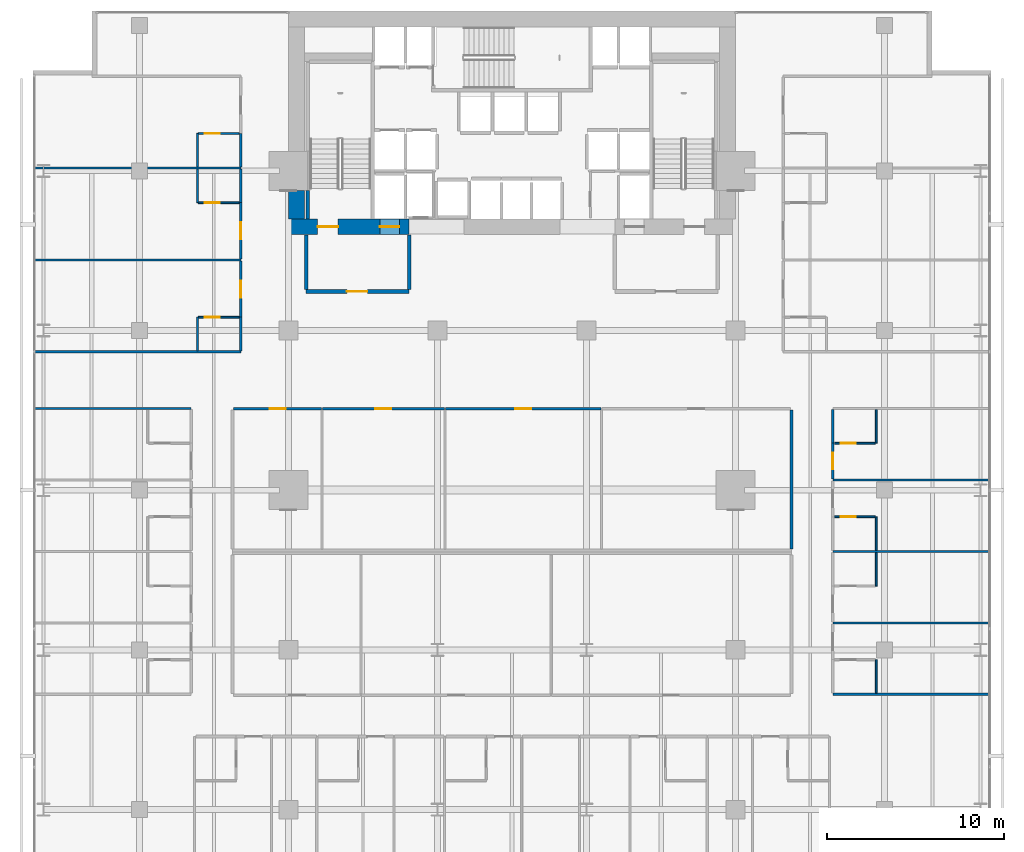
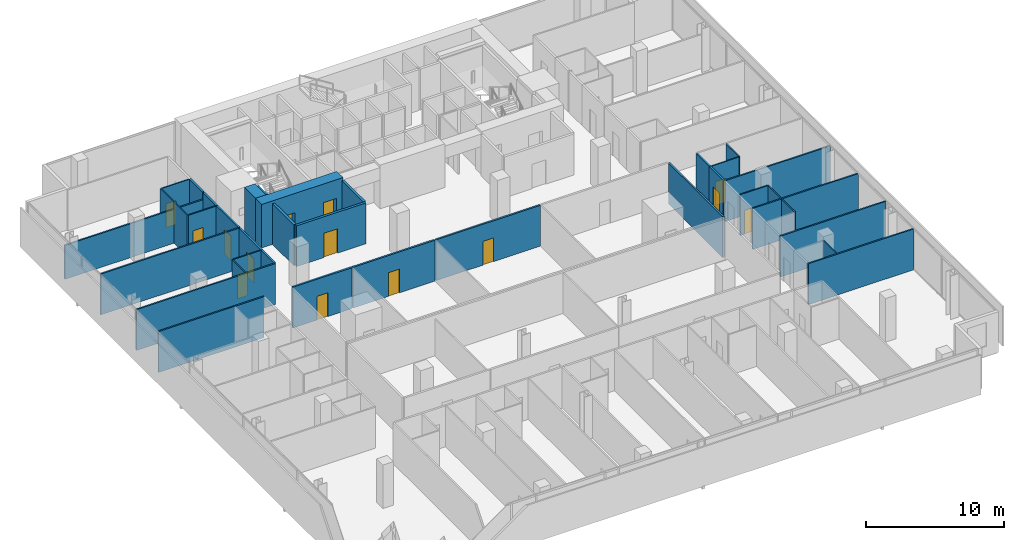
# One storey, part 35 of 40: 37 walls, 14 doors, 14 openings.
"""IFC4 building model written with IfcOpenShell, lengths in metres."""

from ifc_helpers import new_model, si_unit, direction, frame, frame_2d, origin, place, context, subcontext, project, spatial, rectangle, extrude, material, layer, layer_set, type_object, element, fill, save


model = new_model("IFC4")

# Units and contexts
model_context = context("Model", 3, precision=1e-05, world=origin(), true_north=direction((0.0, 1.0)))
body_context = subcontext(model_context, "Body", "Model", "MODEL_VIEW")
ifc_project = project(units=[si_unit("LENGTHUNIT", "METRE"), si_unit("AREAUNIT", "SQUARE_METRE"), si_unit("VOLUMEUNIT", "CUBIC_METRE"), si_unit("PLANEANGLEUNIT", "RADIAN"), si_unit("MASSUNIT", "GRAM", prefix="KILO")], contexts=[model_context])

# Site, building, storey
site_placement = place(None, origin())
site = spatial("IfcSite", under=ifc_project, at=site_placement, CompositionType="ELEMENT")
building_placement = place(site_placement, origin())
building = spatial("IfcBuilding", under=site, at=building_placement, Name="Maruvema Waterfront Hotel and Observation Tower", CompositionType="ELEMENT")
storey_placement = place(building_placement, frame((0.0, 0.0, 80.85009765625)))
storey = spatial("IfcBuildingStorey", under=building, at=storey_placement, Name="L19", CompositionType="ELEMENT", Elevation=80.85009765625)

# Wall
ifc_material_1 = material(Name="Twin-stud acoustic gypsum drywall", Category="gypsum")
ifc_layer_1 = layer(ifc_material_1, 0.14990234375, Name="Acoustic Corridor and Suite Demising Wall 150 mm")
ifc_layer_set_1 = layer_set([ifc_layer_1], Name="Twin-stud acoustic gypsum drywall")
wall_type_1 = type_object("IfcWallType", Name="Acoustic Corridor and Suite Demising Wall 150 mm", PredefinedType="PARTITIONING", material=ifc_layer_set_1)
wall_1_placement = place(storey_placement, frame((53.550048828125, 23.679931640625, 0.0), z_axis=(0.0, 0.0, 1.0), x_axis=(0.0, 1.0, 0.0)))
element("IfcWall", 1, at=wall_1_placement, inside=storey, type_object=wall_type_1, Name="L19 L19-INTN East Wall 014", PredefinedType="PARTITIONING", context=body_context, shape_type="SweptSolid", body=[
    extrude(rectangle(XDim=7.840087890625, YDim=0.14990234375, at=frame_2d((3.919921875, 0.0))), origin(), (0.0, 0.0, 1.0), 3.60986328125),
])

# Wall, opening, door
wall_2_placement = place(storey_placement, frame((22.110107421875, 31.60009765625, 0.0), z_axis=(0.0, 0.0, 1.0), x_axis=(1.0, 0.0, 0.0)))
wall_2 = element("IfcWall", 2, at=wall_2_placement, inside=storey, type_object=wall_type_1, Name="L19 L19-INTN Front 1 015", PredefinedType="PARTITIONING", context=body_context, shape_type="SweptSolid", body=[
    extrude(rectangle(XDim=4.949951171875, YDim=0.14990234375, at=frame_2d((2.47509765625, 0.0))), origin(), (0.0, 0.0, 1.0), 3.60986328125),
])
opening_1_placement = place(wall_2_placement, frame((2.02490234375, 0.0, 0.0)))
opening_1 = element("IfcOpeningElement", 3, at=opening_1_placement, cuts=wall_2, Name="Opening DR-090", PredefinedType="OPENING", context=body_context, shape_type="SweptSolid", body=[
    extrude(rectangle(XDim=0.89990234375, YDim=2.10009765625, at=frame_2d((0.449951171875, 1.050048828125))), frame((0.0, 0.0849609375, 0.0), z_axis=(0.0, -1.0, 0.0), x_axis=(1.0, 0.0, 0.0)), (0.0, 0.0, 1.0), 0.169921875),
])
ifc_material_2 = material(Name="Solid-core lacquered timber leaf", Category="wood")
door_type_1 = type_object("IfcDoorType", Name="Accessible Toilet and Room Door 900x2100 mm", OperationType="NOTDEFINED", PredefinedType="DOOR", material=ifc_material_2)
door_1_placement = place(opening_1_placement, origin())
door_1 = element("IfcDoor", 4, at=door_1_placement, inside=storey, type_object=door_type_1, Name="L19 Coworking Office Door", OperationType="SINGLE_SWING_RIGHT", OverallHeight=2.10009765625, OverallWidth=0.89990234375, PredefinedType="DOOR", context=body_context, shape_type="SweptSolid", body=[
    extrude(rectangle(XDim=0.89990234375, YDim=2.10009765625, at=frame_2d((0.449951171875, 1.050048828125))), frame((0.0, 0.02490234375, 0.0), z_axis=(0.0, -1.0, 0.0), x_axis=(1.0, 0.0, 0.0)), (0.0, 0.0, 1.0), 0.050048828125),
])
fill(opening_1, door_1)

wall_3_placement = place(storey_placement, frame((27.1201171875, 31.60009765625, 0.0), z_axis=(0.0, 0.0, 1.0), x_axis=(1.0, 0.0, 0.0)))
wall_3 = element("IfcWall", 5, at=wall_3_placement, inside=storey, type_object=wall_type_1, Name="L19 L19-INTN Front 2 017", PredefinedType="PARTITIONING", context=body_context, shape_type="SweptSolid", body=[
    extrude(rectangle(XDim=6.869873046875, YDim=0.14990234375, at=frame_2d((3.43505859375, 0.0))), origin(), (0.0, 0.0, 1.0), 3.60986328125),
])
opening_2_placement = place(wall_3_placement, frame((2.985107421875, 0.0, 0.0)))
opening_2 = element("IfcOpeningElement", 6, at=opening_2_placement, cuts=wall_3, Name="Opening DR-090", PredefinedType="OPENING", context=body_context, shape_type="SweptSolid", body=[
    extrude(rectangle(XDim=0.89990234375, YDim=2.10009765625, at=frame_2d((0.449951171875, 1.050048828125))), frame((0.0, 0.0849609375, 0.0), z_axis=(0.0, -1.0, 0.0), x_axis=(1.0, 0.0, 0.0)), (0.0, 0.0, 1.0), 0.169921875),
])
door_2_placement = place(opening_2_placement, origin())
door_2 = element("IfcDoor", 7, at=door_2_placement, inside=storey, type_object=door_type_1, Name="L19 Meeting Room 1 Door", OperationType="SINGLE_SWING_LEFT", OverallHeight=2.10009765625, OverallWidth=0.89990234375, PredefinedType="DOOR", context=body_context, shape_type="SweptSolid", body=[
    extrude(rectangle(XDim=0.89990234375, YDim=2.10009765625, at=frame_2d((0.449951171875, 1.050048828125))), frame((0.0, 0.02490234375, 0.0), z_axis=(0.0, -1.0, 0.0), x_axis=(1.0, 0.0, 0.0)), (0.0, 0.0, 1.0), 0.050048828125),
])
fill(opening_2, door_2)

wall_4_placement = place(storey_placement, frame((34.050048828125, 31.60009765625, 0.0), z_axis=(0.0, 0.0, 1.0), x_axis=(1.0, 0.0, 0.0)))
wall_4 = element("IfcWall", 8, at=wall_4_placement, inside=storey, type_object=wall_type_1, Name="L19 L19-INTN Front 3 019", PredefinedType="PARTITIONING", context=body_context, shape_type="SweptSolid", body=[
    extrude(rectangle(XDim=8.760009765625, YDim=0.14990234375, at=frame_2d((4.3798828125, 0.0))), origin(), (0.0, 0.0, 1.0), 3.60986328125),
])
opening_3_placement = place(wall_4_placement, frame((3.929931640625, 0.0, 0.0)))
opening_3 = element("IfcOpeningElement", 9, at=opening_3_placement, cuts=wall_4, Name="Opening DR-090", PredefinedType="OPENING", context=body_context, shape_type="SweptSolid", body=[
    extrude(rectangle(XDim=0.89990234375, YDim=2.10009765625, at=frame_2d((0.449951171875, 1.050048828125))), frame((0.0, 0.0849609375, 0.0), z_axis=(0.0, -1.0, 0.0), x_axis=(1.0, 0.0, 0.0)), (0.0, 0.0, 1.0), 0.169921875),
])
door_3_placement = place(opening_3_placement, origin())
door_3 = element("IfcDoor", 10, at=door_3_placement, inside=storey, type_object=door_type_1, Name="L19 Meeting Room 2 Door", OperationType="SINGLE_SWING_RIGHT", OverallHeight=2.10009765625, OverallWidth=0.89990234375, PredefinedType="DOOR", context=body_context, shape_type="SweptSolid", body=[
    extrude(rectangle(XDim=0.89990234375, YDim=2.10009765625, at=frame_2d((0.449951171875, 1.050048828125))), frame((0.0, 0.02490234375, 0.0), z_axis=(0.0, -1.0, 0.0), x_axis=(1.0, 0.0, 0.0)), (0.0, 0.0, 1.0), 0.050048828125),
])
fill(opening_3, door_3)

wall_5_placement = place(storey_placement, frame((55.8798828125, 27.639892578125, 0.0), z_axis=(0.0, 0.0, 1.0), x_axis=(0.0, 1.0, 0.0)))
wall_5 = element("IfcWall", 11, at=wall_5_placement, inside=storey, type_object=wall_type_1, Name="L19 Room L19-E4 Corridor Wall 104", PredefinedType="PARTITIONING", context=body_context, shape_type="SweptSolid", body=[
    extrude(rectangle(XDim=2.010009765625, YDim=0.14990234375, at=frame_2d((1.0048828125, 0.0))), origin(), (0.0, 0.0, 1.0), 3.60986328125),
])
opening_4_placement = place(wall_5_placement, frame((0.530029296875, 0.0, 0.0)))
opening_4 = element("IfcOpeningElement", 12, at=opening_4_placement, cuts=wall_5, Name="Opening DR-095", PredefinedType="OPENING", context=body_context, shape_type="SweptSolid", body=[
    extrude(rectangle(XDim=0.949951171875, YDim=2.14990234375, at=frame_2d((0.47509765625, 1.074951171875))), frame((0.0, 0.0849609375, 0.0), z_axis=(0.0, -1.0, 0.0), x_axis=(1.0, 0.0, 0.0)), (0.0, 0.0, 1.0), 0.169921875),
])
ifc_material_3 = material(Name="Acoustic solid-core hardwood timber leaf", Category="wood")
door_type_2 = type_object("IfcDoorType", Name="Guestroom Entrance Fire Door 950x2150 mm", OperationType="NOTDEFINED", PredefinedType="DOOR", material=ifc_material_3)
door_4_placement = place(opening_4_placement, frame((0.949951171875, 0.0, 0.0), z_axis=(0.0, 0.0, 1.0), x_axis=(-1.0, 0.0, 0.0)))
door_4 = element("IfcDoor", 13, at=door_4_placement, inside=storey, type_object=door_type_2, Name="L19 Room L19-E4 Entrance Door", OperationType="SINGLE_SWING_LEFT", OverallHeight=2.14990234375, OverallWidth=0.949951171875, PredefinedType="DOOR", context=body_context, shape_type="SweptSolid", body=[
    extrude(rectangle(XDim=0.949951171875, YDim=2.14990234375, at=frame_2d((0.47509765625, 1.074951171875))), frame((0.0, 0.02490234375, 0.0), z_axis=(0.0, -1.0, 0.0), x_axis=(1.0, 0.0, 0.0)), (0.0, 0.0, 1.0), 0.050048828125),
])
fill(opening_4, door_4)

# Walls
wall_6_placement = place(storey_placement, frame((55.8798828125, 29.64990234375, 0.0), z_axis=(0.0, 0.0, 1.0), x_axis=(0.0, 1.0, 0.0)))
element("IfcWall", 14, at=wall_6_placement, inside=storey, type_object=wall_type_1, Name="L19 Bath L19-E4 Wall 105", PredefinedType="PARTITIONING", context=body_context, shape_type="SweptSolid", body=[
    extrude(rectangle(XDim=1.89013671875, YDim=0.14990234375, at=frame_2d((0.945068359375, 0.0))), origin(), (0.0, 0.0, 1.0), 3.60986328125),
])
wall_7_placement = place(storey_placement, frame((22.52001953125, 34.860107421875, 0.0), z_axis=(0.0, 0.0, 1.0), x_axis=(0.0, 1.0, 0.0)))
element("IfcWall", 15, at=wall_7_placement, inside=storey, type_object=wall_type_1, Name="L19 Bath L19-NW1 Wall 112", PredefinedType="PARTITIONING", context=body_context, shape_type="SweptSolid", body=[
    extrude(rectangle(XDim=1.889892578125, YDim=0.14990234375, at=frame_2d((0.94482421875, 0.0))), origin(), (0.0, 0.0, 1.0), 3.60986328125),
])

# Wall, opening, door
wall_8_placement = place(storey_placement, frame((22.52001953125, 36.75, 0.0), z_axis=(0.0, 0.0, 1.0), x_axis=(0.0, 1.0, 0.0)))
wall_8 = element("IfcWall", 16, at=wall_8_placement, inside=storey, type_object=wall_type_1, Name="L19 Room L19-NW1 Corridor Wall 113", PredefinedType="PARTITIONING", context=body_context, shape_type="SweptSolid", body=[
    extrude(rectangle(XDim=3.169189453125, YDim=0.14990234375, at=frame_2d((1.58447265625, 0.0))), origin(), (0.0, 0.0, 1.0), 3.60986328125),
])
opening_5_placement = place(wall_8_placement, frame((1.109619140625, 0.0, 0.0)))
opening_5 = element("IfcOpeningElement", 17, at=opening_5_placement, cuts=wall_8, Name="Opening DR-095", PredefinedType="OPENING", context=body_context, shape_type="SweptSolid", body=[
    extrude(rectangle(XDim=0.949951171875, YDim=2.14990234375, at=frame_2d((0.47509765625, 1.074951171875))), frame((0.0, 0.0849609375, 0.0), z_axis=(0.0, -1.0, 0.0), x_axis=(1.0, 0.0, 0.0)), (0.0, 0.0, 1.0), 0.169921875),
])
door_5_placement = place(opening_5_placement, origin())
door_5 = element("IfcDoor", 18, at=door_5_placement, inside=storey, type_object=door_type_2, Name="L19 Room L19-NW1 Entrance Door", OperationType="SINGLE_SWING_LEFT", OverallHeight=2.14990234375, OverallWidth=0.949951171875, PredefinedType="DOOR", context=body_context, shape_type="SweptSolid", body=[
    extrude(rectangle(XDim=0.949951171875, YDim=2.14990234375, at=frame_2d((0.47509765625, 1.074951171875))), frame((0.0, 0.02490234375, 0.0), z_axis=(0.0, -1.0, 0.0), x_axis=(1.0, 0.0, 0.0)), (0.0, 0.0, 1.0), 0.050048828125),
])
fill(opening_5, door_5)

wall_9_placement = place(storey_placement, frame((22.52001953125, 40.039306640625, 0.0), z_axis=(0.0, 0.0, 1.0), x_axis=(0.0, 1.0, 0.0)))
wall_9 = element("IfcWall", 19, at=wall_9_placement, inside=storey, type_object=wall_type_1, Name="L19 Room L19-NW2 Corridor Wall 122", PredefinedType="PARTITIONING", context=body_context, shape_type="SweptSolid", body=[
    extrude(rectangle(XDim=3.1689453125, YDim=0.14990234375, at=frame_2d((1.58447265625, 0.0))), origin(), (0.0, 0.0, 1.0), 3.60986328125),
])
opening_6_placement = place(wall_9_placement, frame((1.109619140625, 0.0, 0.0)))
opening_6 = element("IfcOpeningElement", 20, at=opening_6_placement, cuts=wall_9, Name="Opening DR-095", PredefinedType="OPENING", context=body_context, shape_type="SweptSolid", body=[
    extrude(rectangle(XDim=0.949951171875, YDim=2.14990234375, at=frame_2d((0.47509765625, 1.074951171875))), frame((0.0, 0.0849609375, 0.0), z_axis=(0.0, -1.0, 0.0), x_axis=(1.0, 0.0, 0.0)), (0.0, 0.0, 1.0), 0.169921875),
])
door_6_placement = place(opening_6_placement, origin())
door_6 = element("IfcDoor", 21, at=door_6_placement, inside=storey, type_object=door_type_2, Name="L19 Room L19-NW2 Entrance Door", OperationType="SINGLE_SWING_LEFT", OverallHeight=2.14990234375, OverallWidth=0.949951171875, PredefinedType="DOOR", context=body_context, shape_type="SweptSolid", body=[
    extrude(rectangle(XDim=0.949951171875, YDim=2.14990234375, at=frame_2d((0.47509765625, 1.074951171875))), frame((0.0, 0.02490234375, 0.0), z_axis=(0.0, -1.0, 0.0), x_axis=(1.0, 0.0, 0.0)), (0.0, 0.0, 1.0), 0.050048828125),
])
fill(opening_6, door_6)

# Walls
for number, where, z_axis, x_axis, name in (
    (22, (22.52001953125, 43.208251953125, 0.0), (0.0, 0.0, 1.0), (0.0, 1.0, 0.0), "L19 Bath L19-NW2 Wall 123"),
    (23, (22.52001953125, 45.21826171875, 0.0), (0.0, 0.0, 1.0), (0.0, 1.0, 0.0), "L19 Bath L19-NW3 Wall 132"),
):
    element("IfcWall", number, at=place(storey_placement, frame(where, z_axis=z_axis, x_axis=x_axis)), inside=storey, type_object=wall_type_1, Name=name, PredefinedType="PARTITIONING", context=body_context, shape_type="SweptSolid", body=[
        extrude(rectangle(XDim=1.89013671875, YDim=0.14990234375, at=frame_2d((0.945068359375, 0.0))), origin(), (0.0, 0.0, 1.0), 3.60986328125),
    ])
ifc_material_4 = material(Name="Precast concrete C45/55", Category="concrete")
ifc_layer_2 = layer(ifc_material_4, 0.199951171875, Name="Core Shaft and Stairwell Enclosure Wall 200 mm")
ifc_layer_set_2 = layer_set([ifc_layer_2], Name="Precast concrete C45/55")
wall_type_2 = type_object("IfcWallType", Name="Core Shaft and Stairwell Enclosure Wall 200 mm", PredefinedType="SOLIDWALL", material=ifc_layer_set_2)
wall_10_placement = place(storey_placement, frame((26.300048828125, 42.300048828125, 0.0), z_axis=(0.0, 0.0, 1.0), x_axis=(0.0, 1.0, 0.0)))
element("IfcWall", 24, at=wall_10_placement, inside=storey, type_object=wall_type_2, Name="L19 Stairwell ST-01 Shaft Lining Wall", PredefinedType="SOLIDWALL", context=body_context, shape_type="SweptSolid", body=[
    extrude(rectangle(XDim=1.579833984375, YDim=0.199951171875, at=frame_2d((0.7900390625, 0.0))), origin(), (0.0, 0.0, 1.0), 3.60986328125),
])

# Wall, openings, doors
ifc_material_5 = material(Name="Concrete C80/95", Category="concrete")
ifc_layer_3 = layer(ifc_material_5, 0.89990234375, Name="Core Shear Wall 900 mm")
ifc_layer_set_3 = layer_set([ifc_layer_3], Name="Concrete C80/95")
wall_type_3 = type_object("IfcWallType", Name="Core Shear Wall 900 mm", PredefinedType="SHEAR", material=ifc_layer_set_3)
wall_11_placement = place(storey_placement, frame((25.199951171875, 41.85009765625, 0.0), z_axis=(0.0, 0.0, 1.0), x_axis=(1.0, 0.0, 0.0)))
wall_11 = element("IfcWall", 25, at=wall_11_placement, inside=storey, type_object=wall_type_3, Name="L19 South-West Core Shear Wall", PredefinedType="SHEAR", context=body_context, shape_type="SweptSolid", body=[
    extrude(rectangle(XDim=6.800048828125, YDim=0.89990234375, at=frame_2d((3.39990234375, 0.0))), origin(), (0.0, 0.0, 1.0), 3.849853515625),
])
opening_7_placement = place(wall_11_placement, frame((1.64990234375, 0.0, 0.0)))
opening_7 = element("IfcOpeningElement", 26, at=opening_7_placement, cuts=wall_11, Name="Opening SD-01", PredefinedType="OPENING", context=body_context, shape_type="SweptSolid", body=[
    extrude(rectangle(XDim=1.14990234375, YDim=2.14990234375, at=frame_2d((0.574951171875, 1.074951171875))), frame((0.0, 0.4599609375, 0.0), z_axis=(0.0, -1.0, 0.0), x_axis=(1.0, 0.0, 0.0)), (0.0, 0.0, 1.0), 0.919921875),
])
opening_8_placement = place(wall_11_placement, frame((5.14990234375, 0.0, 0.0)))
opening_8 = element("IfcOpeningElement", 27, at=opening_8_placement, cuts=wall_11, Name="Opening LD-03", PredefinedType="OPENING", context=body_context, shape_type="SweptSolid", body=[
    extrude(rectangle(XDim=1.10009765625, YDim=2.199951171875, at=frame_2d((0.550048828125, 1.10009765625))), frame((0.0, 0.4599609375, 0.0), z_axis=(0.0, -1.0, 0.0), x_axis=(1.0, 0.0, 0.0)), (0.0, 0.0, 1.0), 0.919921875),
])
ifc_material_6 = material(Name="Fire-rated galvanised steel leaf", Category="steel")
door_type_3 = type_object("IfcDoorType", Name="Exit Stair Fire Door 1150x2150 mm", OperationType="NOTDEFINED", PredefinedType="DOOR", material=ifc_material_6)
door_7_placement = place(opening_7_placement, origin())
door_7 = element("IfcDoor", 28, at=door_7_placement, inside=storey, type_object=door_type_3, Name="L19 Exit Stair ST-01 Fire Door", OperationType="SINGLE_SWING_LEFT", OverallHeight=2.14990234375, OverallWidth=1.14990234375, PredefinedType="DOOR", context=body_context, shape_type="SweptSolid", body=[
    extrude(rectangle(XDim=1.14990234375, YDim=2.14990234375, at=frame_2d((0.574951171875, 1.074951171875))), frame((0.0, 0.02490234375, 0.0), z_axis=(0.0, -1.0, 0.0), x_axis=(1.0, 0.0, 0.0)), (0.0, 0.0, 1.0), 0.050048828125),
])
fill(opening_7, door_7)
ifc_material_7 = material(Name="Brushed stainless steel Grade 316", Category="steel")
door_type_4 = type_object("IfcDoorType", Name="Firefighting Lift Sliding Landing Door 1100x2200 mm", OperationType="SLIDING_TO_LEFT", PredefinedType="DOOR", material=ifc_material_7)
door_8_placement = place(opening_8_placement, frame((1.10009765625, 0.0, 0.0), z_axis=(0.0, 0.0, 1.0), x_axis=(-1.0, 0.0, 0.0)))
door_8 = element("IfcDoor", 29, at=door_8_placement, inside=storey, type_object=door_type_4, Name="L19 Firefighting Lift FL-01 Landing Door", OperationType="SLIDING_TO_LEFT", OverallHeight=2.199951171875, OverallWidth=1.10009765625, PredefinedType="DOOR", context=body_context, shape_type="SweptSolid", body=[
    extrude(rectangle(XDim=1.10009765625, YDim=2.199951171875, at=frame_2d((0.550048828125, 1.10009765625))), frame((0.0, 0.02490234375, 0.0), z_axis=(0.0, -1.0, 0.0), x_axis=(1.0, 0.0, 0.0)), (0.0, 0.0, 1.0), 0.050048828125),
])
fill(opening_8, door_8)

# Walls
wall_12_placement = place(storey_placement, frame((25.64990234375, 42.300048828125, 0.0), z_axis=(0.0, 0.0, 1.0), x_axis=(0.0, 1.0, 0.0)))
element("IfcWall", 30, at=wall_12_placement, inside=storey, type_object=wall_type_3, Name="L19 West-South Core Shear Wall", PredefinedType="SHEAR", context=body_context, shape_type="SweptSolid", body=[
    extrude(rectangle(XDim=1.599853515625, YDim=0.89990234375, at=frame_2d((0.7998046875, 0.0))), origin(), (0.0, 0.0, 1.0), 3.849853515625),
])
ifc_material_8 = material(Name="Moisture-resistant cement-board drywall", Category="gypsum")
ifc_layer_4 = layer(ifc_material_8, 0.10009765625, Name="En-Suite Moisture-Resistant Partition 100 mm")
ifc_layer_set_4 = layer_set([ifc_layer_4], Name="Moisture-resistant cement-board drywall")
wall_type_4 = type_object("IfcWallType", Name="En-Suite Moisture-Resistant Partition 100 mm", PredefinedType="PARTITIONING", material=ifc_layer_set_4)
for number, where, z_axis, x_axis, name in (
    (31, (58.330078125, 15.56005859375, 0.0), (0.0, 0.0, 1.0), (0.0, 1.0, 0.0), "L19 En-Suite L19-E1 E 076"),
    (32, (58.330078125, 21.60009765625, 0.0), (0.0, 0.0, 1.0), (0.0, 1.0, 0.0), "L19 En-Suite L19-E2 E 086"),
    (33, (58.330078125, 23.610107421875, 0.0), (0.0, 0.0, 1.0), (0.0, 1.0, 0.0), "L19 En-Suite L19-E3 E 096"),
):
    element("IfcWall", number, at=place(storey_placement, frame(where, z_axis=z_axis, x_axis=x_axis)), inside=storey, type_object=wall_type_4, Name=name, PredefinedType="PARTITIONING", context=body_context, shape_type="SweptSolid", body=[
        extrude(rectangle(XDim=1.889892578125, YDim=0.10009765625, at=frame_2d((0.94482421875, 0.0))), origin(), (0.0, 0.0, 1.0), 3.60986328125),
    ])

# Wall, opening, door
wall_13_placement = place(storey_placement, frame((55.97998046875, 25.5, 0.0), z_axis=(0.0, 0.0, 1.0), x_axis=(1.0, 0.0, 0.0)))
wall_13 = element("IfcWall", 34, at=wall_13_placement, inside=storey, type_object=wall_type_4, Name="L19 En-Suite L19-E3 N 097", PredefinedType="PARTITIONING", context=body_context, shape_type="SweptSolid", body=[
    extrude(rectangle(XDim=2.300048828125, YDim=0.10009765625, at=frame_2d((1.14990234375, 0.0))), origin(), (0.0, 0.0, 1.0), 3.60986328125),
])
opening_9_placement = place(wall_13_placement, frame((0.35009765625, 0.0, 0.0)))
opening_9 = element("IfcOpeningElement", 35, at=opening_9_placement, cuts=wall_13, Name="Opening DR-085", PredefinedType="OPENING", context=body_context, shape_type="SweptSolid", body=[
    extrude(rectangle(XDim=0.85009765625, YDim=2.10009765625, at=frame_2d((0.425048828125, 1.050048828125))), frame((0.0, 0.06005859375, 0.0), z_axis=(0.0, -1.0, 0.0), x_axis=(1.0, 0.0, 0.0)), (0.0, 0.0, 1.0), 0.1201171875),
])
ifc_material_9 = material(Name="Moisture-resistant solid timber leaf", Category="wood")
door_type_5 = type_object("IfcDoorType", Name="En-Suite Bathroom Door 850x2100 mm", OperationType="NOTDEFINED", PredefinedType="DOOR", material=ifc_material_9)
door_9_placement = place(opening_9_placement, origin())
door_9 = element("IfcDoor", 36, at=door_9_placement, inside=storey, type_object=door_type_5, Name="L19 En-Suite L19-E3 Door", OperationType="SINGLE_SWING_RIGHT", OverallHeight=2.10009765625, OverallWidth=0.85009765625, PredefinedType="DOOR", context=body_context, shape_type="SweptSolid", body=[
    extrude(rectangle(XDim=0.85009765625, YDim=2.10009765625, at=frame_2d((0.425048828125, 1.050048828125))), frame((0.0, 0.02490234375, 0.0), z_axis=(0.0, -1.0, 0.0), x_axis=(1.0, 0.0, 0.0)), (0.0, 0.0, 1.0), 0.050048828125),
])
fill(opening_9, door_9)

# Wall
wall_14_placement = place(storey_placement, frame((58.330078125, 29.64990234375, 0.0), z_axis=(0.0, 0.0, 1.0), x_axis=(0.0, 1.0, 0.0)))
element("IfcWall", 37, at=wall_14_placement, inside=storey, type_object=wall_type_4, Name="L19 En-Suite L19-E4 E 106", PredefinedType="PARTITIONING", context=body_context, shape_type="SweptSolid", body=[
    extrude(rectangle(XDim=1.89013671875, YDim=0.10009765625, at=frame_2d((0.945068359375, 0.0))), origin(), (0.0, 0.0, 1.0), 3.60986328125),
])

# Wall, opening, door
wall_15_placement = place(storey_placement, frame((55.97998046875, 29.64990234375, 0.0), z_axis=(0.0, 0.0, 1.0), x_axis=(1.0, 0.0, 0.0)))
wall_15 = element("IfcWall", 38, at=wall_15_placement, inside=storey, type_object=wall_type_4, Name="L19 En-Suite L19-E4 S 107", PredefinedType="PARTITIONING", context=body_context, shape_type="SweptSolid", body=[
    extrude(rectangle(XDim=2.300048828125, YDim=0.10009765625, at=frame_2d((1.14990234375, 0.0))), origin(), (0.0, 0.0, 1.0), 3.60986328125),
])
opening_10_placement = place(wall_15_placement, frame((0.35009765625, 0.0, 0.0)))
opening_10 = element("IfcOpeningElement", 39, at=opening_10_placement, cuts=wall_15, Name="Opening DR-085", PredefinedType="OPENING", context=body_context, shape_type="SweptSolid", body=[
    extrude(rectangle(XDim=0.85009765625, YDim=2.10009765625, at=frame_2d((0.425048828125, 1.050048828125))), frame((0.0, 0.06005859375, 0.0), z_axis=(0.0, -1.0, 0.0), x_axis=(1.0, 0.0, 0.0)), (0.0, 0.0, 1.0), 0.1201171875),
])
door_10_placement = place(opening_10_placement, frame((0.85009765625, 0.0, 0.0), z_axis=(0.0, 0.0, 1.0), x_axis=(-1.0, 0.0, 0.0)))
door_10 = element("IfcDoor", 40, at=door_10_placement, inside=storey, type_object=door_type_5, Name="L19 En-Suite L19-E4 Door", OperationType="SINGLE_SWING_RIGHT", OverallHeight=2.10009765625, OverallWidth=0.85009765625, PredefinedType="DOOR", context=body_context, shape_type="SweptSolid", body=[
    extrude(rectangle(XDim=0.85009765625, YDim=2.10009765625, at=frame_2d((0.425048828125, 1.050048828125))), frame((0.0, 0.02490234375, 0.0), z_axis=(0.0, -1.0, 0.0), x_axis=(1.0, 0.0, 0.0)), (0.0, 0.0, 1.0), 0.050048828125),
])
fill(opening_10, door_10)

# Wall
wall_16_placement = place(storey_placement, frame((20.070068359375, 34.860107421875, 0.0), z_axis=(0.0, 0.0, 1.0), x_axis=(0.0, 1.0, 0.0)))
element("IfcWall", 41, at=wall_16_placement, inside=storey, type_object=wall_type_4, Name="L19 En-Suite L19-NW1 W 114", PredefinedType="PARTITIONING", context=body_context, shape_type="SweptSolid", body=[
    extrude(rectangle(XDim=1.889892578125, YDim=0.10009765625, at=frame_2d((0.94482421875, 0.0))), origin(), (0.0, 0.0, 1.0), 3.60986328125),
])

# Wall, opening, door
wall_17_placement = place(storey_placement, frame((20.1201171875, 36.75, 0.0), z_axis=(0.0, 0.0, 1.0), x_axis=(1.0, 0.0, 0.0)))
wall_17 = element("IfcWall", 42, at=wall_17_placement, inside=storey, type_object=wall_type_4, Name="L19 En-Suite L19-NW1 N 115", PredefinedType="PARTITIONING", context=body_context, shape_type="SweptSolid", body=[
    extrude(rectangle(XDim=2.2998046875, YDim=0.10009765625, at=frame_2d((1.14990234375, 0.0))), origin(), (0.0, 0.0, 1.0), 3.60986328125),
])
opening_11_placement = place(wall_17_placement, frame((0.35009765625, 0.0, 0.0)))
opening_11 = element("IfcOpeningElement", 43, at=opening_11_placement, cuts=wall_17, Name="Opening DR-085", PredefinedType="OPENING", context=body_context, shape_type="SweptSolid", body=[
    extrude(rectangle(XDim=0.85009765625, YDim=2.10009765625, at=frame_2d((0.425048828125, 1.050048828125))), frame((0.0, 0.06005859375, 0.0), z_axis=(0.0, -1.0, 0.0), x_axis=(1.0, 0.0, 0.0)), (0.0, 0.0, 1.0), 0.1201171875),
])
door_11_placement = place(opening_11_placement, origin())
door_11 = element("IfcDoor", 44, at=door_11_placement, inside=storey, type_object=door_type_5, Name="L19 En-Suite L19-NW1 Door", OperationType="SINGLE_SWING_RIGHT", OverallHeight=2.10009765625, OverallWidth=0.85009765625, PredefinedType="DOOR", context=body_context, shape_type="SweptSolid", body=[
    extrude(rectangle(XDim=0.85009765625, YDim=2.10009765625, at=frame_2d((0.425048828125, 1.050048828125))), frame((0.0, 0.02490234375, 0.0), z_axis=(0.0, -1.0, 0.0), x_axis=(1.0, 0.0, 0.0)), (0.0, 0.0, 1.0), 0.050048828125),
])
fill(opening_11, door_11)

# Wall
wall_18_placement = place(storey_placement, frame((20.070068359375, 43.208251953125, 0.0), z_axis=(0.0, 0.0, 1.0), x_axis=(0.0, 1.0, 0.0)))
element("IfcWall", 45, at=wall_18_placement, inside=storey, type_object=wall_type_4, Name="L19 En-Suite L19-NW2 W 124", PredefinedType="PARTITIONING", context=body_context, shape_type="SweptSolid", body=[
    extrude(rectangle(XDim=1.89013671875, YDim=0.10009765625, at=frame_2d((0.945068359375, 0.0))), origin(), (0.0, 0.0, 1.0), 3.60986328125),
])

# Wall, opening, door
wall_19_placement = place(storey_placement, frame((20.1201171875, 43.208251953125, 0.0), z_axis=(0.0, 0.0, 1.0), x_axis=(1.0, 0.0, 0.0)))
wall_19 = element("IfcWall", 46, at=wall_19_placement, inside=storey, type_object=wall_type_4, Name="L19 En-Suite L19-NW2 S 125", PredefinedType="PARTITIONING", context=body_context, shape_type="SweptSolid", body=[
    extrude(rectangle(XDim=2.2998046875, YDim=0.10009765625, at=frame_2d((1.14990234375, 0.0))), origin(), (0.0, 0.0, 1.0), 3.60986328125),
])
opening_12_placement = place(wall_19_placement, frame((0.35009765625, 0.0, 0.0)))
opening_12 = element("IfcOpeningElement", 47, at=opening_12_placement, cuts=wall_19, Name="Opening DR-085", PredefinedType="OPENING", context=body_context, shape_type="SweptSolid", body=[
    extrude(rectangle(XDim=0.85009765625, YDim=2.10009765625, at=frame_2d((0.425048828125, 1.050048828125))), frame((0.0, 0.06005859375, 0.0), z_axis=(0.0, -1.0, 0.0), x_axis=(1.0, 0.0, 0.0)), (0.0, 0.0, 1.0), 0.1201171875),
])
door_12_placement = place(opening_12_placement, frame((0.85009765625, 0.0, 0.0), z_axis=(0.0, 0.0, 1.0), x_axis=(-1.0, 0.0, 0.0)))
door_12 = element("IfcDoor", 48, at=door_12_placement, inside=storey, type_object=door_type_5, Name="L19 En-Suite L19-NW2 Door", OperationType="SINGLE_SWING_RIGHT", OverallHeight=2.10009765625, OverallWidth=0.85009765625, PredefinedType="DOOR", context=body_context, shape_type="SweptSolid", body=[
    extrude(rectangle(XDim=0.85009765625, YDim=2.10009765625, at=frame_2d((0.425048828125, 1.050048828125))), frame((0.0, 0.02490234375, 0.0), z_axis=(0.0, -1.0, 0.0), x_axis=(1.0, 0.0, 0.0)), (0.0, 0.0, 1.0), 0.050048828125),
])
fill(opening_12, door_12)

# Wall
wall_20_placement = place(storey_placement, frame((20.070068359375, 45.21826171875, 0.0), z_axis=(0.0, 0.0, 1.0), x_axis=(0.0, 1.0, 0.0)))
element("IfcWall", 49, at=wall_20_placement, inside=storey, type_object=wall_type_4, Name="L19 En-Suite L19-NW3 W 134", PredefinedType="PARTITIONING", context=body_context, shape_type="SweptSolid", body=[
    extrude(rectangle(XDim=1.89013671875, YDim=0.10009765625, at=frame_2d((0.945068359375, 0.0))), origin(), (0.0, 0.0, 1.0), 3.60986328125),
])

# Wall, opening, door
wall_21_placement = place(storey_placement, frame((20.1201171875, 47.1083984375, 0.0), z_axis=(0.0, 0.0, 1.0), x_axis=(1.0, 0.0, 0.0)))
wall_21 = element("IfcWall", 50, at=wall_21_placement, inside=storey, type_object=wall_type_4, Name="L19 En-Suite L19-NW3 N 135", PredefinedType="PARTITIONING", context=body_context, shape_type="SweptSolid", body=[
    extrude(rectangle(XDim=2.2998046875, YDim=0.10009765625, at=frame_2d((1.14990234375, 0.0))), origin(), (0.0, 0.0, 1.0), 3.60986328125),
])
opening_13_placement = place(wall_21_placement, frame((0.35009765625, 0.0, 0.0)))
opening_13 = element("IfcOpeningElement", 51, at=opening_13_placement, cuts=wall_21, Name="Opening DR-085", PredefinedType="OPENING", context=body_context, shape_type="SweptSolid", body=[
    extrude(rectangle(XDim=0.85009765625, YDim=2.10009765625, at=frame_2d((0.425048828125, 1.050048828125))), frame((0.0, 0.06005859375, 0.0), z_axis=(0.0, -1.0, 0.0), x_axis=(1.0, 0.0, 0.0)), (0.0, 0.0, 1.0), 0.1201171875),
])
door_13_placement = place(opening_13_placement, origin())
door_13 = element("IfcDoor", 52, at=door_13_placement, inside=storey, type_object=door_type_5, Name="L19 En-Suite L19-NW3 Door", OperationType="SINGLE_SWING_RIGHT", OverallHeight=2.10009765625, OverallWidth=0.85009765625, PredefinedType="DOOR", context=body_context, shape_type="SweptSolid", body=[
    extrude(rectangle(XDim=0.85009765625, YDim=2.10009765625, at=frame_2d((0.425048828125, 1.050048828125))), frame((0.0, 0.02490234375, 0.0), z_axis=(0.0, -1.0, 0.0), x_axis=(1.0, 0.0, 0.0)), (0.0, 0.0, 1.0), 0.050048828125),
])
fill(opening_13, door_13)

ifc_material_10 = material(Name="Autoclaved cellular concrete blockwork", Category="masonry")
ifc_layer_5 = layer(ifc_material_10, 0.199951171875, Name="Fire Compartment Masonry Wall 200 mm")
ifc_layer_set_5 = layer_set([ifc_layer_5], Name="Autoclaved cellular concrete blockwork")
wall_type_5 = type_object("IfcWallType", Name="Fire Compartment Masonry Wall 200 mm", PredefinedType="PARTITIONING", material=ifc_layer_set_5)
wall_22_placement = place(storey_placement, frame((26.199951171875, 38.199951171875, 0.0), z_axis=(0.0, 0.0, 1.0), x_axis=(1.0, 0.0, 0.0)))
wall_22 = element("IfcWall", 53, at=wall_22_placement, inside=storey, type_object=wall_type_5, Name="L19 FFL West South Wall 001", PredefinedType="PARTITIONING", context=body_context, shape_type="SweptSolid", body=[
    extrude(rectangle(XDim=5.800048828125, YDim=0.199951171875, at=frame_2d((2.89990234375, 0.0))), origin(), (0.0, 0.0, 1.0), 3.60986328125),
])
opening_14_placement = place(wall_22_placement, frame((2.300048828125, 0.0, 0.0)))
opening_14 = element("IfcOpeningElement", 54, at=opening_14_placement, cuts=wall_22, Name="Opening FD-115", PredefinedType="OPENING", context=body_context, shape_type="SweptSolid", body=[
    extrude(rectangle(XDim=1.14990234375, YDim=2.14990234375, at=frame_2d((0.574951171875, 1.074951171875))), frame((0.0, 0.10986328125, 0.0), z_axis=(0.0, -1.0, 0.0), x_axis=(1.0, 0.0, 0.0)), (0.0, 0.0, 1.0), 0.219970703125),
])
ifc_material_11 = material(Name="Fire-rated galvanised steel and vision glass", Category="steel")
door_type_6 = type_object("IfcDoorType", Name="Firefighting Lobby Fire Door 1150x2150 mm", OperationType="NOTDEFINED", PredefinedType="DOOR", material=ifc_material_11)
door_14_placement = place(opening_14_placement, frame((1.14990234375, 0.0, 0.0), z_axis=(0.0, 0.0, 1.0), x_axis=(-1.0, 0.0, 0.0)))
door_14 = element("IfcDoor", 55, at=door_14_placement, inside=storey, type_object=door_type_6, Name="L19 Firefighting Lobby West Door", OperationType="SINGLE_SWING_RIGHT", OverallHeight=2.14990234375, OverallWidth=1.14990234375, PredefinedType="DOOR", context=body_context, shape_type="SweptSolid", body=[
    extrude(rectangle(XDim=1.14990234375, YDim=2.14990234375, at=frame_2d((0.574951171875, 1.074951171875))), frame((0.0, 0.02490234375, 0.0), z_axis=(0.0, -1.0, 0.0), x_axis=(1.0, 0.0, 0.0)), (0.0, 0.0, 1.0), 0.050048828125),
])
fill(opening_14, door_14)

# Walls
for number, where, z_axis, x_axis, name in (
    (56, (26.199951171875, 38.31005859375, 0.0), (0.0, 0.0, 1.0), (0.0, 1.0, 0.0), "L19 FFL West West Wall 002"),
    (57, (32.0, 38.31005859375, 0.0), (0.0, 0.0, 1.0), (0.0, 1.0, 0.0), "L19 FFL West East Wall 003"),
):
    element("IfcWall", number, at=place(storey_placement, frame(where, z_axis=z_axis, x_axis=x_axis)), inside=storey, type_object=wall_type_5, Name=name, PredefinedType="PARTITIONING", context=body_context, shape_type="SweptSolid", body=[
        extrude(rectangle(XDim=3.06982421875, YDim=0.199951171875, at=frame_2d((1.534912109375, 0.0))), origin(), (0.0, 0.0, 1.0), 3.60986328125),
    ])
ifc_material_12 = material(Name="Acoustic gypsum plasterboard drywall", Category="gypsum")
ifc_layer_6 = layer(ifc_material_12, 0.125, Name="Guestroom Acoustic Demising Wall 125 mm")
ifc_layer_set_6 = layer_set([ifc_layer_6], Name="Acoustic gypsum plasterboard drywall")
wall_type_6 = type_object("IfcWallType", Name="Guestroom Acoustic Demising Wall 125 mm", PredefinedType="PARTITIONING", material=ifc_layer_set_6)
for number, where, z_axis, x_axis, name in (
    (58, (55.8798828125, 15.5, 0.0), (0.0, 0.0, 1.0), (1.0, 0.0, 0.0), "L19 E Bot End 067"),
    (59, (10.89990234375, 31.60009765625, 0.0), (0.0, 0.0, 1.0), (1.0, 0.0, 0.0), "L19 W Top End 068"),
    (60, (55.8798828125, 19.52001953125, 0.0), (0.0, 0.0, 1.0), (1.0, 0.0, 0.0), "L19 E Demising 2 079"),
    (61, (55.8798828125, 23.550048828125, 0.0), (0.0, 0.0, 1.0), (1.0, 0.0, 0.0), "L19 E Demising 3 089"),
    (62, (55.8798828125, 27.580078125, 0.0), (0.0, 0.0, 1.0), (1.0, 0.0, 0.0), "L19 E Demising 4 099"),
):
    element("IfcWall", number, at=place(storey_placement, frame(where, z_axis=z_axis, x_axis=x_axis)), inside=storey, type_object=wall_type_6, Name=name, PredefinedType="PARTITIONING", context=body_context, shape_type="SweptSolid", body=[
        extrude(rectangle(XDim=8.820068359375, YDim=0.125, at=frame_2d((4.41015625, 0.0))), origin(), (0.0, 0.0, 1.0), 3.60986328125),
    ])
for number, where, z_axis, x_axis, name in (
    (63, (10.89990234375, 34.800048828125, 0.0), (0.0, 0.0, 1.0), (1.0, 0.0, 0.0), "L19 NW Bot End 108"),
    (64, (10.89990234375, 39.979248046875, 0.0), (0.0, 0.0, 1.0), (1.0, 0.0, 0.0), "L19 NW Demising 2 120"),
):
    element("IfcWall", number, at=place(storey_placement, frame(where, z_axis=z_axis, x_axis=x_axis)), inside=storey, type_object=wall_type_6, Name=name, PredefinedType="PARTITIONING", context=body_context, shape_type="SweptSolid", body=[
        extrude(rectangle(XDim=11.6201171875, YDim=0.125, at=frame_2d((5.81005859375, 0.0))), origin(), (0.0, 0.0, 1.0), 3.60986328125),
    ])
wall_23_placement = place(storey_placement, frame((10.89990234375, 45.158203125, 0.0), z_axis=(0.0, 0.0, 1.0), x_axis=(1.0, 0.0, 0.0)))
element("IfcWall", 65, at=wall_23_placement, inside=storey, type_object=wall_type_6, Name="L19 NW Demising 3 130", PredefinedType="PARTITIONING", context=body_context, shape_type="SweptSolid", body=[
    extrude(rectangle(XDim=11.6201171875, YDim=0.125, at=frame_2d((5.81005859375, 0.0))), origin(), (0.0, 0.0, 1.0), 2.9990234375),
])

save(model, "model.ifc")
